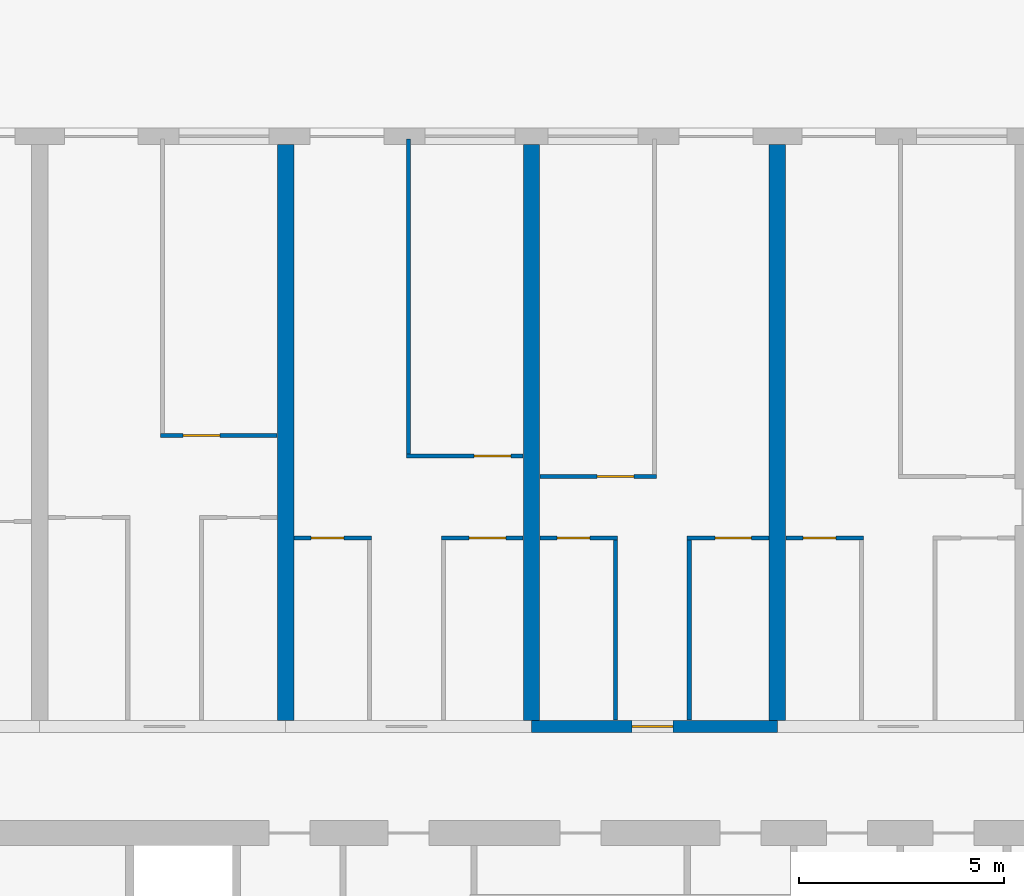
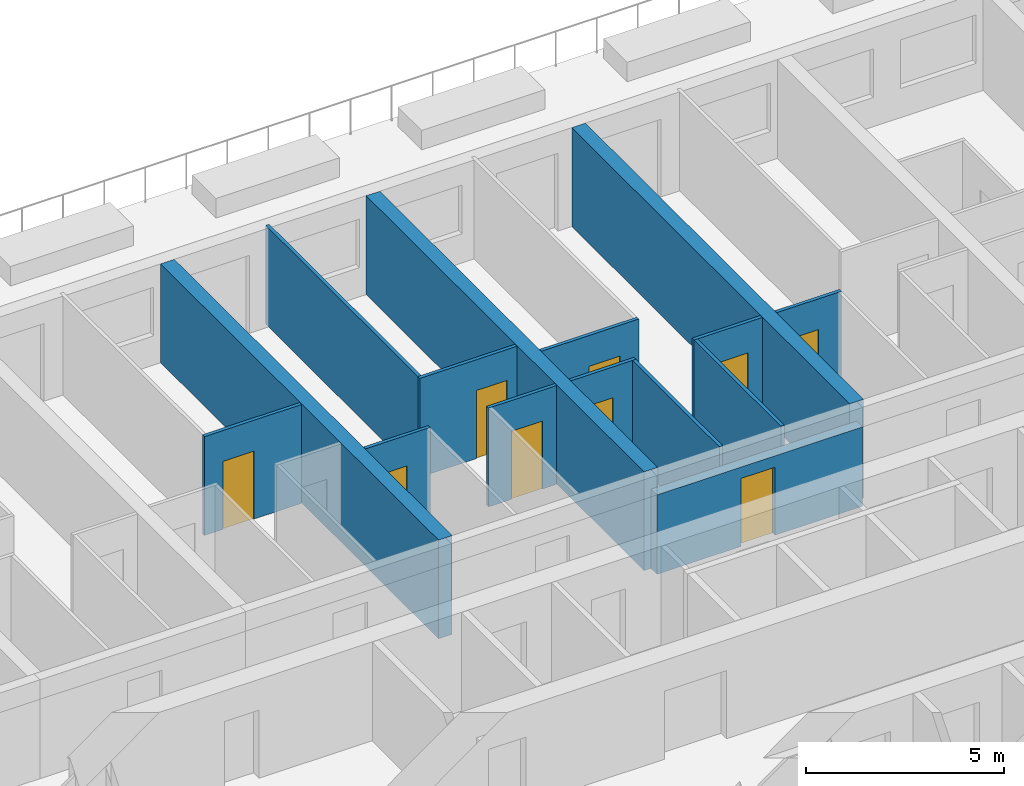
# One storey, part 13 of 23: 15 walls, 9 doors, 9 openings.
"""IFC4 building model written with IfcOpenShell, lengths in metres."""

import ifcopenshell
import ifcopenshell.guid

model = None  # the IFC model being written
_history = None  # IfcOwnerHistory: only IFC2X3 demands one
_inside = {}  # id of a spatial element -> (the spatial element, [elements in it])
_under = {}  # id of a project, library or spatial element -> (it, [spatial elements below it])
_declared = {}  # id of a project -> (the project, [libraries it declares])
_typed = {}  # id of a type object -> (the type object, [elements of that type])
_made_of = {}  # id of a material, layer set ... -> (it, [elements and type objects made of it])


def new_model(schema):
    """Start an empty IFC model of exactly this schema.

    Asked for "IFC4X3", IfcOpenShell would pick the latest addendum, in which some entities
    have other attributes; the version numbers below select the first issue.
    IFC2X3 requires an IfcOwnerHistory on every rooted entity: one is made here for all.
    """
    global model, _history
    if schema == "IFC4X3":
        model = ifcopenshell.file(schema_version=(4, 3, 0, 0))
    else:
        model = ifcopenshell.file(schema=schema)
    _inside.clear()
    _under.clear()
    _declared.clear()
    _typed.clear()
    _made_of.clear()
    _history = None
    if model.schema == "IFC2X3":
        org = make("IfcOrganization", Name="unknown")
        user = make(
            "IfcPersonAndOrganization",
            ThePerson=make("IfcPerson", FamilyName="unknown"),
            TheOrganization=org,
        )
        app = make(
            "IfcApplication",
            ApplicationDeveloper=org,
            Version="unknown",
            ApplicationFullName="unknown",
            ApplicationIdentifier="unknown",
        )
        _history = make(
            "IfcOwnerHistory",
            OwningUser=user,
            OwningApplication=app,
            ChangeAction="ADDED",
            CreationDate=0,
        )
    return model


def make(cls, **values):
    """One entity of the class cls with the attributes given. An attribute that is None is left unset."""
    return model.create_entity(
        cls, **{name: value for name, value in values.items() if value is not None}
    )


def rooted(cls, **values):
    """An entity with a GlobalId (a new one), such as an element, a storey or a relation."""
    return make(cls, GlobalId=ifcopenshell.guid.new(), OwnerHistory=_history, **values)


def si_unit(unit_type, name, prefix=None):
    """IfcSIUnit, for example si_unit("LENGTHUNIT", "METRE", prefix="MILLI")."""
    return make("IfcSIUnit", UnitType=unit_type, Prefix=prefix, Name=name)


def assignment(units):
    """IfcUnitAssignment: the units of a project."""
    return None if units is None else make("IfcUnitAssignment", Units=units)


def point(xyz):
    """IfcCartesianPoint."""
    return None if xyz is None else make("IfcCartesianPoint", Coordinates=xyz)


def direction(xyz):
    """IfcDirection."""
    return None if xyz is None else make("IfcDirection", DirectionRatios=xyz)


def frame(location, z_axis=None, x_axis=None):
    """IfcAxis2Placement3D, a coordinate frame: its origin and axes. An axis left out is left unset."""
    return make(
        "IfcAxis2Placement3D",
        Location=point(location),
        Axis=direction(z_axis),
        RefDirection=direction(x_axis),
    )


def frame_2d(location, x_axis=None):
    """IfcAxis2Placement2D, a coordinate frame in the plane: its origin and x axis."""
    return make(
        "IfcAxis2Placement2D", Location=point(location), RefDirection=direction(x_axis)
    )


def origin():
    """The frame at (0, 0, 0) with its axes left unset."""
    return frame((0.0, 0.0, 0.0))


def place(relative_to, where):
    """IfcLocalPlacement: puts the frame where relative to a parent placement (None: the world)."""
    return make(
        "IfcLocalPlacement", PlacementRelTo=relative_to, RelativePlacement=where
    )


def context(
    kind, dimensions, precision=None, world=None, true_north=None, identifier=None
):
    """IfcGeometricRepresentationContext, for example the 3D "Model" context."""
    return make(
        "IfcGeometricRepresentationContext",
        ContextIdentifier=identifier,
        ContextType=kind,
        CoordinateSpaceDimension=dimensions,
        Precision=precision,
        WorldCoordinateSystem=world,
        TrueNorth=true_north,
    )


def subcontext(parent, identifier, kind, view, scale=None):
    """IfcGeometricRepresentationSubContext, for example "Body" below "Model"."""
    return make(
        "IfcGeometricRepresentationSubContext",
        ContextIdentifier=identifier,
        ContextType=kind,
        ParentContext=parent,
        TargetScale=scale,
        TargetView=view,
    )


def project(units=None, contexts=None):
    """IfcProject with its units and contexts."""
    return rooted(
        "IfcProject",
        Name="project",
        RepresentationContexts=contexts,
        UnitsInContext=assignment(units),
    )


def spatial(cls, under=None, at=None, **own):
    """A site, building, storey or space (cls), placed at a placement, below another one or the project."""
    s = rooted(cls, ObjectPlacement=at, **own)
    if under is not None:
        _under.setdefault(under.id(), (under, []))[1].append(s)
    return s


def profile(cls, at=None, kind="AREA", **sizes):
    """A parametric profile (cls). Its sizes go by their IFC names, for example OverallWidth=200.0."""
    return make(cls, ProfileType=kind, Position=at, **sizes)


def rectangle(**sizes):
    """IfcRectangleProfileDef."""
    return profile("IfcRectangleProfileDef", **sizes)


def extrude(swept, where, along, depth):
    """IfcExtrudedAreaSolid: the profile swept, set in the frame where, extruded along a direction by depth."""
    return make(
        "IfcExtrudedAreaSolid",
        SweptArea=swept,
        Position=where,
        ExtrudedDirection=direction(along),
        Depth=depth,
    )


def shape(context_of_items, identifier, shape_type, items):
    """IfcShapeRepresentation: the items that make up one representation, for example the "Body"."""
    return make(
        "IfcShapeRepresentation",
        ContextOfItems=context_of_items,
        RepresentationIdentifier=identifier,
        RepresentationType=shape_type,
        Items=items,
    )


def material(Name=None, Category=None):
    """IfcMaterial."""
    return make("IfcMaterial", Name=Name, Category=Category)


def layer(
    of_material, thickness, ventilated=None, Name=None, Category=None, Priority=None
):
    """IfcMaterialLayer: one layer of a wall or slab, of a material (None: an air gap)."""
    return make(
        "IfcMaterialLayer",
        Material=of_material,
        LayerThickness=thickness,
        IsVentilated=ventilated,
        Name=Name,
        Category=Category,
        Priority=Priority,
    )


def layer_set(layers, Name=None):
    """IfcMaterialLayerSet."""
    return make("IfcMaterialLayerSet", MaterialLayers=layers, LayerSetName=Name)


def made_of(thing, what):
    """Note that an element or type object is made of a material, layer set ...; save() writes the relation."""
    if what is not None:
        _made_of.setdefault(what.id(), (what, []))[1].append(thing)
    return thing


def type_object(cls, material=None, **own):
    """A type object (cls), such as IfcWallType, which elements share."""
    return made_of(rooted(cls, **own), material)


def element(
    cls,
    number,
    at=None,
    inside=None,
    cuts=None,
    type_object=None,
    material=None,
    context=None,
    identifier="Body",
    shape_type=None,
    held_by="IfcProductDefinitionShape",
    body=None,
    shapes=None,
    **own,
):
    """One element of the class cls, such as IfcWall. Its Tag is "e" and its number.

    at: its placement. inside: the storey or other place that contains it. cuts: it is an
    opening in that element (IfcRelVoidsElement). A single representation is given by context,
    identifier, shape_type and body (its items); several are given by shapes. held_by: the class
    of the entity that holds the representations. save() writes the other relations.
    """
    e = rooted(cls, Tag="e%d" % number, ObjectPlacement=at, **own)
    if body is not None:
        shapes = [shape(context, identifier, shape_type, body)]
    if shapes is not None:
        e.Representation = make(held_by, Representations=shapes)
    if inside is not None:
        _inside.setdefault(inside.id(), (inside, []))[1].append(e)
    if cuts is not None:
        rooted(
            "IfcRelVoidsElement", RelatingBuildingElement=cuts, RelatedOpeningElement=e
        )
    if type_object is not None:
        _typed.setdefault(type_object.id(), (type_object, []))[1].append(e)
    return made_of(e, material)


def fill(opening, filler):
    """IfcRelFillsElement: the door or window that sits in an opening."""
    return rooted(
        "IfcRelFillsElement",
        RelatingOpeningElement=opening,
        RelatedBuildingElement=filler,
    )


def aggregate(whole, parts):
    """IfcRelAggregates: a whole, such as a stair, and the parts it consists of."""
    return rooted("IfcRelAggregates", RelatingObject=whole, RelatedObjects=parts)


def save(model, path):
    """Write the relations noted so far, then the file.

    IfcRelAggregates (storeys below a building ...), IfcRelContainedInSpatialStructure (elements
    in a storey), IfcRelDefinesByType, IfcRelAssociatesMaterial and IfcRelDeclares: one each for
    every whole, place, type object, material and project.
    """
    for whole, parts in _under.values():
        aggregate(whole, parts)
    for where, things in _inside.values():
        rooted(
            "IfcRelContainedInSpatialStructure",
            RelatedElements=things,
            RelatingStructure=where,
        )
    for kind, things in _typed.values():
        rooted("IfcRelDefinesByType", RelatedObjects=things, RelatingType=kind)
    for what, things in _made_of.values():
        rooted("IfcRelAssociatesMaterial", RelatedObjects=things, RelatingMaterial=what)
    for by, libraries in _declared.values():
        rooted("IfcRelDeclares", RelatingContext=by, RelatedDefinitions=libraries)
    model.write(path)


model = new_model("IFC4")

# Units and contexts
model_context = context("Model", 3, precision=1e-05, world=origin(), true_north=direction((0.0, 1.0)))
body_context = subcontext(model_context, "Body", "Model", "MODEL_VIEW")
ifc_project = project(units=[si_unit("LENGTHUNIT", "METRE"), si_unit("AREAUNIT", "SQUARE_METRE"), si_unit("VOLUMEUNIT", "CUBIC_METRE"), si_unit("PLANEANGLEUNIT", "RADIAN"), si_unit("MASSUNIT", "GRAM", prefix="KILO")], contexts=[model_context])

# Site, building, storey
site_placement = place(None, origin())
site = spatial("IfcSite", under=ifc_project, at=site_placement, CompositionType="ELEMENT")
building_placement = place(site_placement, origin())
building = spatial("IfcBuilding", under=site, at=building_placement, Name="Poui Terraces", CompositionType="ELEMENT")
storey_placement = place(building_placement, frame((0.0, 0.0, 23.39990234375)))
storey = spatial("IfcBuildingStorey", under=building, at=storey_placement, Name="L05", CompositionType="ELEMENT", Elevation=23.39990234375)

# Wall, opening, door
ifc_material_1 = material(Name="Concrete 80 MPa", Category="concrete")
ifc_layer_1 = layer(ifc_material_1, 0.300048828125)
ifc_layer_set_1 = layer_set([ifc_layer_1], Name="Concrete 80 MPa")
wall_type_1 = type_object("IfcWallType", Name="CORRIDOR WALL 300 80MPa", PredefinedType="SHEAR", material=ifc_layer_set_1)
wall_1_placement = place(storey_placement, frame((54.0, 30.39990234375, 0.0), z_axis=(0.0, 0.0, 1.0), x_axis=(1.0, 0.0, 0.0)))
wall_1 = element("IfcWall", 1, at=wall_1_placement, inside=storey, type_object=wall_type_1, Name="CORRIDOR WALL LINE E BAY 10", PredefinedType="SHEAR", context=body_context, shape_type="SweptSolid", body=[
    extrude(rectangle(XDim=6.0, YDim=0.300048828125, at=frame_2d((3.0, 0.0))), origin(), (0.0, 0.0, 1.0), 2.4501953125),
])
opening_1_placement = place(wall_1_placement, frame((2.449951171875, 0.0, 0.0)))
opening_1 = element("IfcOpeningElement", 2, at=opening_1_placement, cuts=wall_1, Name="Opening FD30S", PredefinedType="OPENING", context=body_context, shape_type="SweptSolid", body=[
    extrude(rectangle(XDim=1.0, YDim=2.10009765625, at=frame_2d((0.5, 1.050048828125))), frame((0.0, 0.16015625, 0.0), z_axis=(0.0, -1.0, 0.0), x_axis=(1.0, 0.0, 0.0)), (0.0, 0.0, 1.0), 0.320068359375),
])
ifc_material_2 = material(Name="Steel fire door", Category="steel")
door_type_1 = type_object("IfcDoorType", Name="FLAT ENTRANCE DOOR 1000 X 2100", OperationType="NOTDEFINED", PredefinedType="DOOR", material=ifc_material_2)
door_1_placement = place(opening_1_placement, origin())
door_1 = element("IfcDoor", 3, at=door_1_placement, inside=storey, type_object=door_type_1, Name="FLAT ENTRANCE DOOR 066", OperationType="SINGLE_SWING_LEFT", OverallHeight=2.10009765625, OverallWidth=1.0, PredefinedType="DOOR", context=body_context, shape_type="SweptSolid", body=[
    extrude(rectangle(XDim=1.0, YDim=2.10009765625, at=frame_2d((0.5, 1.050048828125))), frame((0.0, 0.02490234375, 0.0), z_axis=(0.0, -1.0, 0.0), x_axis=(1.0, 0.0, 0.0)), (0.0, 0.0, 1.0), 0.050048828125),
])
fill(opening_1, door_1)

# Walls
ifc_layer_2 = layer(ifc_material_1, 0.39990234375)
ifc_layer_set_2 = layer_set([ifc_layer_2], Name="Concrete 80 MPa")
wall_type_2 = type_object("IfcWallType", Name="CROSS WALL 400 80MPa", PredefinedType="SHEAR", material=ifc_layer_set_2)
for number, where, z_axis, x_axis, name in (
    (4, (48.0, 30.550048828125, 0.0), (0.0, 0.0, 1.0), (0.0, 1.0, 0.0), "CROSS WALL LINE 9 NORTH"),
    (5, (54.0, 30.550048828125, 0.0), (0.0, 0.0, 1.0), (0.0, 1.0, 0.0), "CROSS WALL LINE 10 NORTH"),
    (6, (60.0, 30.550048828125, 0.0), (0.0, 0.0, 1.0), (0.0, 1.0, 0.0), "CROSS WALL LINE 11 NORTH"),
):
    element("IfcWall", number, at=place(storey_placement, frame(where, z_axis=z_axis, x_axis=x_axis)), inside=storey, type_object=wall_type_2, Name=name, PredefinedType="SHEAR", context=body_context, shape_type="SweptSolid", body=[
        extrude(rectangle(XDim=14.050048828125, YDim=0.39990234375, at=frame_2d((7.02490234375, 0.0))), origin(), (0.0, 0.0, 1.0), 3.050048828125),
    ])

# Wall, opening, door
ifc_material_3 = material(Name="Plasterboard partition")
ifc_layer_3 = layer(ifc_material_3, 0.10009765625)
ifc_layer_set_3 = layer_set([ifc_layer_3], Name="Plasterboard partition")
wall_type_3 = type_object("IfcWallType", Name="FLAT PARTITION 100", PredefinedType="PARTITIONING", material=ifc_layer_set_3)
wall_2_placement = place(storey_placement, frame((48.2099609375, 35.0, 0.0), z_axis=(0.0, 0.0, 1.0), x_axis=(1.0, 0.0, 0.0)))
wall_2 = element("IfcWall", 7, at=wall_2_placement, inside=storey, type_object=wall_type_3, Name="FLAT PARTITION 100", PredefinedType="PARTITIONING", context=body_context, shape_type="SweptSolid", body=[
    extrude(rectangle(XDim=1.89013671875, YDim=0.10009765625, at=frame_2d((0.945068359375, 0.0))), origin(), (0.0, 0.0, 1.0), 3.050048828125),
])
opening_2_placement = place(wall_2_placement, frame((0.4150390625, 0.0, 0.0)))
opening_2 = element("IfcOpeningElement", 8, at=opening_2_placement, cuts=wall_2, Name="Opening D80", PredefinedType="OPENING", context=body_context, shape_type="SweptSolid", body=[
    extrude(rectangle(XDim=0.800048828125, YDim=2.10009765625, at=frame_2d((0.39990234375, 1.050048828125))), frame((0.0, 0.06005859375, 0.0), z_axis=(0.0, -1.0, 0.0), x_axis=(1.0, 0.0, 0.0)), (0.0, 0.0, 1.0), 0.1201171875),
])
ifc_material_4 = material(Name="Solid core timber door", Category="wood")
door_type_2 = type_object("IfcDoorType", Name="BATHROOM, LAUNDRY AND STORE DOOR 800 X 2100", OperationType="NOTDEFINED", PredefinedType="DOOR", material=ifc_material_4)
door_2_placement = place(opening_2_placement, frame((0.800048828125, 0.0, 0.0), z_axis=(0.0, 0.0, 1.0), x_axis=(-1.0, 0.0, 0.0)))
door_2 = element("IfcDoor", 9, at=door_2_placement, inside=storey, type_object=door_type_2, Name="BATHROOM, LAUNDRY AND STORE DOOR 060", OperationType="SINGLE_SWING_RIGHT", OverallHeight=2.10009765625, OverallWidth=0.800048828125, PredefinedType="DOOR", context=body_context, shape_type="SweptSolid", body=[
    extrude(rectangle(XDim=0.800048828125, YDim=2.10009765625, at=frame_2d((0.39990234375, 1.050048828125))), frame((0.0, 0.02490234375, 0.0), z_axis=(0.0, -1.0, 0.0), x_axis=(1.0, 0.0, 0.0)), (0.0, 0.0, 1.0), 0.050048828125),
])
fill(opening_2, door_2)

wall_3_placement = place(storey_placement, frame((51.800048828125, 35.0, 0.0), z_axis=(0.0, 0.0, 1.0), x_axis=(1.0, 0.0, 0.0)))
wall_3 = element("IfcWall", 10, at=wall_3_placement, inside=storey, type_object=wall_type_3, Name="FLAT PARTITION 100", PredefinedType="PARTITIONING", context=body_context, shape_type="SweptSolid", body=[
    extrude(rectangle(XDim=1.989990234375, YDim=0.10009765625, at=frame_2d((0.9951171875, 0.0))), origin(), (0.0, 0.0, 1.0), 3.050048828125),
])
opening_3_placement = place(wall_3_placement, frame((0.675048828125, 0.0, 0.0)))
opening_3 = element("IfcOpeningElement", 11, at=opening_3_placement, cuts=wall_3, Name="Opening D90", PredefinedType="OPENING", context=body_context, shape_type="SweptSolid", body=[
    extrude(rectangle(XDim=0.89990234375, YDim=2.10009765625, at=frame_2d((0.449951171875, 1.050048828125))), frame((0.0, 0.06005859375, 0.0), z_axis=(0.0, -1.0, 0.0), x_axis=(1.0, 0.0, 0.0)), (0.0, 0.0, 1.0), 0.1201171875),
])
door_type_3 = type_object("IfcDoorType", Name="INTERNAL DOOR 900 X 2100", OperationType="NOTDEFINED", PredefinedType="DOOR", material=ifc_material_4)
door_3_placement = place(opening_3_placement, frame((0.89990234375, 0.0, 0.0), z_axis=(0.0, 0.0, 1.0), x_axis=(-1.0, 0.0, 0.0)))
door_3 = element("IfcDoor", 12, at=door_3_placement, inside=storey, type_object=door_type_3, Name="INTERNAL DOOR 062", OperationType="SINGLE_SWING_LEFT", OverallHeight=2.10009765625, OverallWidth=0.89990234375, PredefinedType="DOOR", context=body_context, shape_type="SweptSolid", body=[
    extrude(rectangle(XDim=0.89990234375, YDim=2.10009765625, at=frame_2d((0.449951171875, 1.050048828125))), frame((0.0, 0.02490234375, 0.0), z_axis=(0.0, -1.0, 0.0), x_axis=(1.0, 0.0, 0.0)), (0.0, 0.0, 1.0), 0.050048828125),
])
fill(opening_3, door_3)

wall_4_placement = place(storey_placement, frame((54.2099609375, 35.0, 0.0), z_axis=(0.0, 0.0, 1.0), x_axis=(1.0, 0.0, 0.0)))
wall_4 = element("IfcWall", 13, at=wall_4_placement, inside=storey, type_object=wall_type_3, Name="FLAT PARTITION 100", PredefinedType="PARTITIONING", context=body_context, shape_type="SweptSolid", body=[
    extrude(rectangle(XDim=1.89013671875, YDim=0.10009765625, at=frame_2d((0.945068359375, 0.0))), origin(), (0.0, 0.0, 1.0), 3.050048828125),
])
opening_4_placement = place(wall_4_placement, frame((0.4150390625, 0.0, 0.0)))
opening_4 = element("IfcOpeningElement", 14, at=opening_4_placement, cuts=wall_4, Name="Opening D80", PredefinedType="OPENING", context=body_context, shape_type="SweptSolid", body=[
    extrude(rectangle(XDim=0.800048828125, YDim=2.10009765625, at=frame_2d((0.39990234375, 1.050048828125))), frame((0.0, 0.06005859375, 0.0), z_axis=(0.0, -1.0, 0.0), x_axis=(1.0, 0.0, 0.0)), (0.0, 0.0, 1.0), 0.1201171875),
])
door_4_placement = place(opening_4_placement, frame((0.800048828125, 0.0, 0.0), z_axis=(0.0, 0.0, 1.0), x_axis=(-1.0, 0.0, 0.0)))
door_4 = element("IfcDoor", 15, at=door_4_placement, inside=storey, type_object=door_type_2, Name="BATHROOM, LAUNDRY AND STORE DOOR 064", OperationType="SINGLE_SWING_LEFT", OverallHeight=2.10009765625, OverallWidth=0.800048828125, PredefinedType="DOOR", context=body_context, shape_type="SweptSolid", body=[
    extrude(rectangle(XDim=0.800048828125, YDim=2.10009765625, at=frame_2d((0.39990234375, 1.050048828125))), frame((0.0, 0.02490234375, 0.0), z_axis=(0.0, -1.0, 0.0), x_axis=(1.0, 0.0, 0.0)), (0.0, 0.0, 1.0), 0.050048828125),
])
fill(opening_4, door_4)

wall_5_placement = place(storey_placement, frame((57.800048828125, 35.0, 0.0), z_axis=(0.0, 0.0, 1.0), x_axis=(1.0, 0.0, 0.0)))
wall_5 = element("IfcWall", 16, at=wall_5_placement, inside=storey, type_object=wall_type_3, Name="FLAT PARTITION 100", PredefinedType="PARTITIONING", context=body_context, shape_type="SweptSolid", body=[
    extrude(rectangle(XDim=1.989990234375, YDim=0.10009765625, at=frame_2d((0.9951171875, 0.0))), origin(), (0.0, 0.0, 1.0), 3.050048828125),
])
opening_5_placement = place(wall_5_placement, frame((0.675048828125, 0.0, 0.0)))
opening_5 = element("IfcOpeningElement", 17, at=opening_5_placement, cuts=wall_5, Name="Opening D90", PredefinedType="OPENING", context=body_context, shape_type="SweptSolid", body=[
    extrude(rectangle(XDim=0.89990234375, YDim=2.10009765625, at=frame_2d((0.449951171875, 1.050048828125))), frame((0.0, 0.06005859375, 0.0), z_axis=(0.0, -1.0, 0.0), x_axis=(1.0, 0.0, 0.0)), (0.0, 0.0, 1.0), 0.1201171875),
])
door_5_placement = place(opening_5_placement, frame((0.89990234375, 0.0, 0.0), z_axis=(0.0, 0.0, 1.0), x_axis=(-1.0, 0.0, 0.0)))
door_5 = element("IfcDoor", 18, at=door_5_placement, inside=storey, type_object=door_type_3, Name="INTERNAL DOOR 067", OperationType="SINGLE_SWING_RIGHT", OverallHeight=2.10009765625, OverallWidth=0.89990234375, PredefinedType="DOOR", context=body_context, shape_type="SweptSolid", body=[
    extrude(rectangle(XDim=0.89990234375, YDim=2.10009765625, at=frame_2d((0.449951171875, 1.050048828125))), frame((0.0, 0.02490234375, 0.0), z_axis=(0.0, -1.0, 0.0), x_axis=(1.0, 0.0, 0.0)), (0.0, 0.0, 1.0), 0.050048828125),
])
fill(opening_5, door_5)

wall_6_placement = place(storey_placement, frame((60.2099609375, 35.0, 0.0), z_axis=(0.0, 0.0, 1.0), x_axis=(1.0, 0.0, 0.0)))
wall_6 = element("IfcWall", 19, at=wall_6_placement, inside=storey, type_object=wall_type_3, Name="FLAT PARTITION 100", PredefinedType="PARTITIONING", context=body_context, shape_type="SweptSolid", body=[
    extrude(rectangle(XDim=1.89013671875, YDim=0.10009765625, at=frame_2d((0.945068359375, 0.0))), origin(), (0.0, 0.0, 1.0), 3.050048828125),
])
opening_6_placement = place(wall_6_placement, frame((0.4150390625, 0.0, 0.0)))
opening_6 = element("IfcOpeningElement", 20, at=opening_6_placement, cuts=wall_6, Name="Opening D80", PredefinedType="OPENING", context=body_context, shape_type="SweptSolid", body=[
    extrude(rectangle(XDim=0.800048828125, YDim=2.10009765625, at=frame_2d((0.39990234375, 1.050048828125))), frame((0.0, 0.06005859375, 0.0), z_axis=(0.0, -1.0, 0.0), x_axis=(1.0, 0.0, 0.0)), (0.0, 0.0, 1.0), 0.1201171875),
])
door_6_placement = place(opening_6_placement, frame((0.800048828125, 0.0, 0.0), z_axis=(0.0, 0.0, 1.0), x_axis=(-1.0, 0.0, 0.0)))
door_6 = element("IfcDoor", 21, at=door_6_placement, inside=storey, type_object=door_type_2, Name="BATHROOM, LAUNDRY AND STORE DOOR 071", OperationType="SINGLE_SWING_RIGHT", OverallHeight=2.10009765625, OverallWidth=0.800048828125, PredefinedType="DOOR", context=body_context, shape_type="SweptSolid", body=[
    extrude(rectangle(XDim=0.800048828125, YDim=2.10009765625, at=frame_2d((0.39990234375, 1.050048828125))), frame((0.0, 0.02490234375, 0.0), z_axis=(0.0, -1.0, 0.0), x_axis=(1.0, 0.0, 0.0)), (0.0, 0.0, 1.0), 0.050048828125),
])
fill(opening_6, door_6)

wall_7_placement = place(storey_placement, frame((54.2099609375, 36.5, 0.0), z_axis=(0.0, 0.0, 1.0), x_axis=(1.0, 0.0, 0.0)))
wall_7 = element("IfcWall", 22, at=wall_7_placement, inside=storey, type_object=wall_type_3, Name="FLAT PARTITION 100", PredefinedType="PARTITIONING", context=body_context, shape_type="SweptSolid", body=[
    extrude(rectangle(XDim=2.840087890625, YDim=0.10009765625, at=frame_2d((1.419921875, 0.0))), origin(), (0.0, 0.0, 1.0), 3.050048828125),
])
opening_7_placement = place(wall_7_placement, frame((1.389892578125, 0.0, 0.0)))
opening_7 = element("IfcOpeningElement", 23, at=opening_7_placement, cuts=wall_7, Name="Opening D90", PredefinedType="OPENING", context=body_context, shape_type="SweptSolid", body=[
    extrude(rectangle(XDim=0.89990234375, YDim=2.10009765625, at=frame_2d((0.449951171875, 1.050048828125))), frame((0.0, 0.06005859375, 0.0), z_axis=(0.0, -1.0, 0.0), x_axis=(1.0, 0.0, 0.0)), (0.0, 0.0, 1.0), 0.1201171875),
])
door_7_placement = place(opening_7_placement, frame((0.89990234375, 0.0, 0.0), z_axis=(0.0, 0.0, 1.0), x_axis=(-1.0, 0.0, 0.0)))
door_7 = element("IfcDoor", 24, at=door_7_placement, inside=storey, type_object=door_type_3, Name="INTERNAL DOOR 065", OperationType="SINGLE_SWING_RIGHT", OverallHeight=2.10009765625, OverallWidth=0.89990234375, PredefinedType="DOOR", context=body_context, shape_type="SweptSolid", body=[
    extrude(rectangle(XDim=0.89990234375, YDim=2.10009765625, at=frame_2d((0.449951171875, 1.050048828125))), frame((0.0, 0.02490234375, 0.0), z_axis=(0.0, -1.0, 0.0), x_axis=(1.0, 0.0, 0.0)), (0.0, 0.0, 1.0), 0.050048828125),
])
fill(opening_7, door_7)

wall_8_placement = place(storey_placement, frame((50.949951171875, 37.0, 0.0), z_axis=(0.0, 0.0, 1.0), x_axis=(1.0, 0.0, 0.0)))
wall_8 = element("IfcWall", 25, at=wall_8_placement, inside=storey, type_object=wall_type_3, Name="FLAT PARTITION 100", PredefinedType="PARTITIONING", context=body_context, shape_type="SweptSolid", body=[
    extrude(rectangle(XDim=2.840087890625, YDim=0.10009765625, at=frame_2d((1.419921875, 0.0))), origin(), (0.0, 0.0, 1.0), 3.050048828125),
])
opening_8_placement = place(wall_8_placement, frame((1.64990234375, 0.0, 0.0)))
opening_8 = element("IfcOpeningElement", 26, at=opening_8_placement, cuts=wall_8, Name="Opening D90", PredefinedType="OPENING", context=body_context, shape_type="SweptSolid", body=[
    extrude(rectangle(XDim=0.89990234375, YDim=2.10009765625, at=frame_2d((0.449951171875, 1.050048828125))), frame((0.0, 0.06005859375, 0.0), z_axis=(0.0, -1.0, 0.0), x_axis=(1.0, 0.0, 0.0)), (0.0, 0.0, 1.0), 0.1201171875),
])
door_8_placement = place(opening_8_placement, frame((0.89990234375, 0.0, 0.0), z_axis=(0.0, 0.0, 1.0), x_axis=(-1.0, 0.0, 0.0)))
door_8 = element("IfcDoor", 27, at=door_8_placement, inside=storey, type_object=door_type_3, Name="INTERNAL DOOR 063", OperationType="SINGLE_SWING_RIGHT", OverallHeight=2.10009765625, OverallWidth=0.89990234375, PredefinedType="DOOR", context=body_context, shape_type="SweptSolid", body=[
    extrude(rectangle(XDim=0.89990234375, YDim=2.10009765625, at=frame_2d((0.449951171875, 1.050048828125))), frame((0.0, 0.02490234375, 0.0), z_axis=(0.0, -1.0, 0.0), x_axis=(1.0, 0.0, 0.0)), (0.0, 0.0, 1.0), 0.050048828125),
])
fill(opening_8, door_8)

wall_9_placement = place(storey_placement, frame((44.949951171875, 37.5, 0.0), z_axis=(0.0, 0.0, 1.0), x_axis=(1.0, 0.0, 0.0)))
wall_9 = element("IfcWall", 28, at=wall_9_placement, inside=storey, type_object=wall_type_3, Name="FLAT PARTITION 100", PredefinedType="PARTITIONING", context=body_context, shape_type="SweptSolid", body=[
    extrude(rectangle(XDim=2.840087890625, YDim=0.10009765625, at=frame_2d((1.419921875, 0.0))), origin(), (0.0, 0.0, 1.0), 3.050048828125),
])
opening_9_placement = place(wall_9_placement, frame((0.550048828125, 0.0, 0.0)))
opening_9 = element("IfcOpeningElement", 29, at=opening_9_placement, cuts=wall_9, Name="Opening D90", PredefinedType="OPENING", context=body_context, shape_type="SweptSolid", body=[
    extrude(rectangle(XDim=0.89990234375, YDim=2.10009765625, at=frame_2d((0.449951171875, 1.050048828125))), frame((0.0, 0.06005859375, 0.0), z_axis=(0.0, -1.0, 0.0), x_axis=(1.0, 0.0, 0.0)), (0.0, 0.0, 1.0), 0.1201171875),
])
door_9_placement = place(opening_9_placement, frame((0.89990234375, 0.0, 0.0), z_axis=(0.0, 0.0, 1.0), x_axis=(-1.0, 0.0, 0.0)))
door_9 = element("IfcDoor", 30, at=door_9_placement, inside=storey, type_object=door_type_3, Name="INTERNAL DOOR 058", OperationType="SINGLE_SWING_LEFT", OverallHeight=2.10009765625, OverallWidth=0.89990234375, PredefinedType="DOOR", context=body_context, shape_type="SweptSolid", body=[
    extrude(rectangle(XDim=0.89990234375, YDim=2.10009765625, at=frame_2d((0.449951171875, 1.050048828125))), frame((0.0, 0.02490234375, 0.0), z_axis=(0.0, -1.0, 0.0), x_axis=(1.0, 0.0, 0.0)), (0.0, 0.0, 1.0), 0.050048828125),
])
fill(opening_9, door_9)

# Walls
wall_10_placement = place(storey_placement, frame((51.0, 37.050048828125, 0.0), z_axis=(0.0, 0.0, 1.0), x_axis=(0.0, 1.0, 0.0)))
element("IfcWall", 31, at=wall_10_placement, inside=storey, type_object=wall_type_3, Name="FLAT PARTITION 100", PredefinedType="PARTITIONING", context=body_context, shape_type="SweptSolid", body=[
    extrude(rectangle(XDim=7.68994140625, YDim=0.10009765625, at=frame_2d((3.844970703125, 0.0))), origin(), (0.0, 0.0, 1.0), 3.050048828125),
])
for number, where, z_axis, x_axis, name in (
    (32, (56.050048828125, 30.56005859375, 0.0), (0.0, 0.0, 1.0), (0.0, 1.0, 0.0), "FLAT PARTITION 100"),
    (33, (57.85009765625, 30.56005859375, 0.0), (0.0, 0.0, 1.0), (0.0, 1.0, 0.0), "FLAT PARTITION 100"),
):
    element("IfcWall", number, at=place(storey_placement, frame(where, z_axis=z_axis, x_axis=x_axis)), inside=storey, type_object=wall_type_3, Name=name, PredefinedType="PARTITIONING", context=body_context, shape_type="SweptSolid", body=[
        extrude(rectangle(XDim=4.389892578125, YDim=0.10009765625, at=frame_2d((2.19482421875, 0.0))), origin(), (0.0, 0.0, 1.0), 3.050048828125),
    ])

save(model, "model.ifc")
